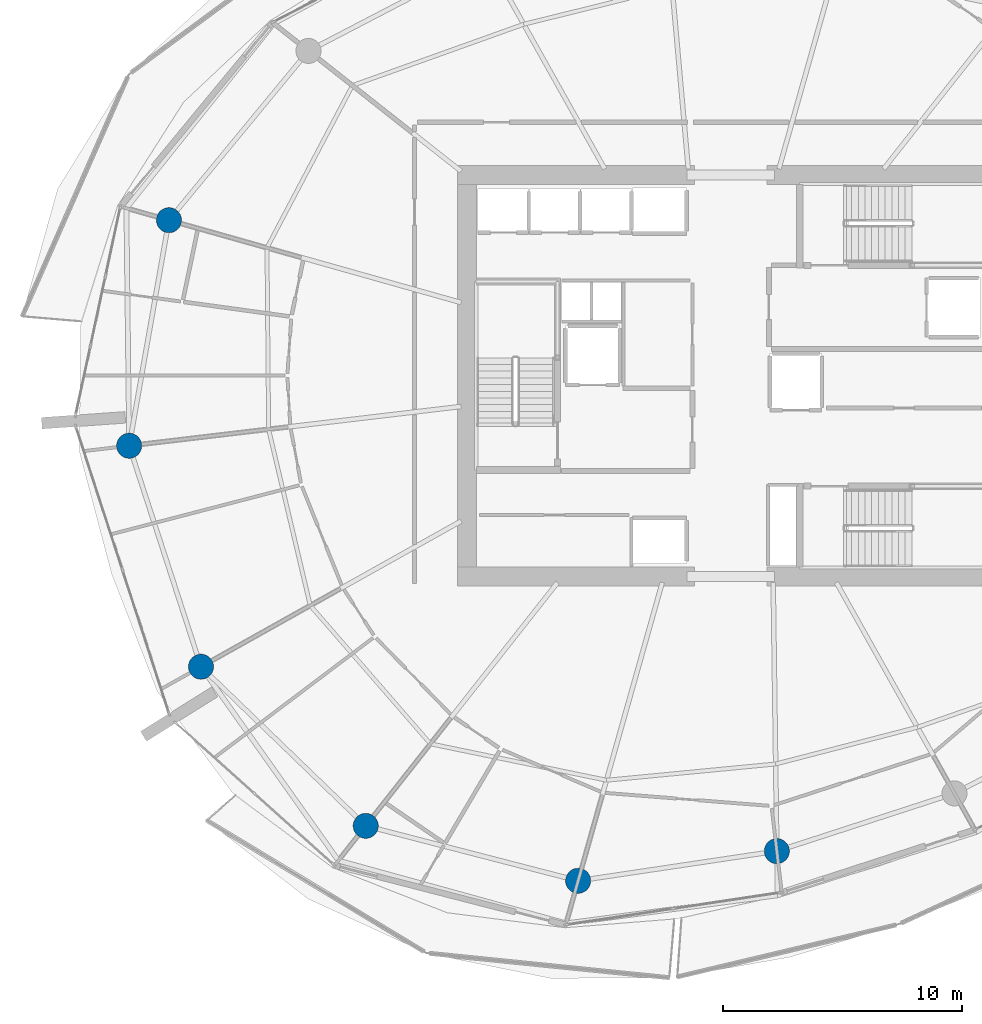
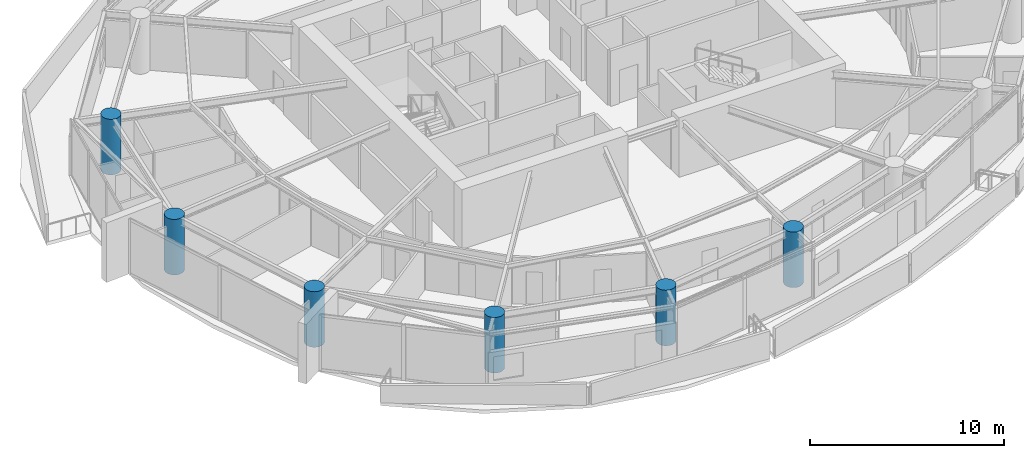
# One storey, part 1 of 20: 6 columns.
"""IFC4 building model written with IfcOpenShell, lengths in metres."""

from ifc_helpers import new_model, si_unit, direction, frame, origin, origin_2d, place, context, subcontext, project, spatial, circle, extrude, material, material_profile, profile_set, type_object, element, save


model = new_model("IFC4")

# Units and contexts
model_context = context("Model", 3, precision=1e-05, world=origin(), true_north=direction((0.0, 1.0)))
body_context = subcontext(model_context, "Body", "Model", "MODEL_VIEW")
ifc_project = project(units=[si_unit("LENGTHUNIT", "METRE"), si_unit("AREAUNIT", "SQUARE_METRE"), si_unit("VOLUMEUNIT", "CUBIC_METRE"), si_unit("PLANEANGLEUNIT", "RADIAN"), si_unit("MASSUNIT", "GRAM", prefix="KILO")], contexts=[model_context])

# Site, building, storey
site_placement = place(None, origin())
site = spatial("IfcSite", under=ifc_project, at=site_placement, CompositionType="ELEMENT")
building_placement = place(site_placement, origin())
building = spatial("IfcBuilding", under=site, at=building_placement, Name="Kazma Halo Residences", CompositionType="ELEMENT")
storey_placement = place(building_placement, frame((0.0, 0.0, 139.050048828125)))
storey = spatial("IfcBuildingStorey", under=building, at=storey_placement, Name="L34", CompositionType="ELEMENT", Elevation=139.050048828125)

# Columns
ifc_material = material(Name="Concrete C80/95", Category="concrete")
ifc_material_profile = material_profile(ifc_material, circle(Radius=0.52490234375, at=origin_2d()), Name="CIRC1050")
ifc_profile_set = profile_set([ifc_material_profile], Name="Concrete C80/95")
column_type = type_object("IfcColumnType", Name="COL-PERIM-1050", PredefinedType="COLUMN", material=ifc_profile_set)
for number, where, z_axis, x_axis, name in (
    (1, (24.93017578125, 48.50634765625, 0.0), (0.0, 0.0, 1.0), (1.0, 0.0, 0.0), "L34 perimeter ring column P07"),
    (2, (23.266845703125, 39.072509765625, 0.0), (0.0, 0.0, 1.0), (1.0, 0.0, 0.0), "L34 perimeter ring column P08"),
    (3, (26.269775390625, 29.83056640625, 0.0), (0.0, 0.0, 1.0), (1.0, 0.0, 0.0), "L34 perimeter ring column P09"),
    (4, (33.160400390625, 23.17626953125, 0.0), (0.0, 0.0, 1.0), (1.0, 0.0, 0.0), "L34 perimeter ring column P10"),
    (5, (42.04296875, 20.878173828125, 0.0), (0.0, 0.0, 1.0), (1.0, 0.0, 0.0), "L34 perimeter ring column P11"),
    (6, (50.35302734375, 22.118896484375, 0.0), (0.0, 0.0, 1.0), (1.0, 0.0, 0.0), "L34 perimeter ring column P12"),
):
    element("IfcColumn", number, at=place(storey_placement, frame(where, z_axis=z_axis, x_axis=x_axis)), inside=storey, type_object=column_type, Name=name, PredefinedType="COLUMN", context=body_context, shape_type="SweptSolid", body=[
        extrude(circle(Radius=0.52490234375, at=origin_2d()), origin(), (0.0, 0.0, 1.0), 3.5),
    ])

save(model, "model.ifc")
